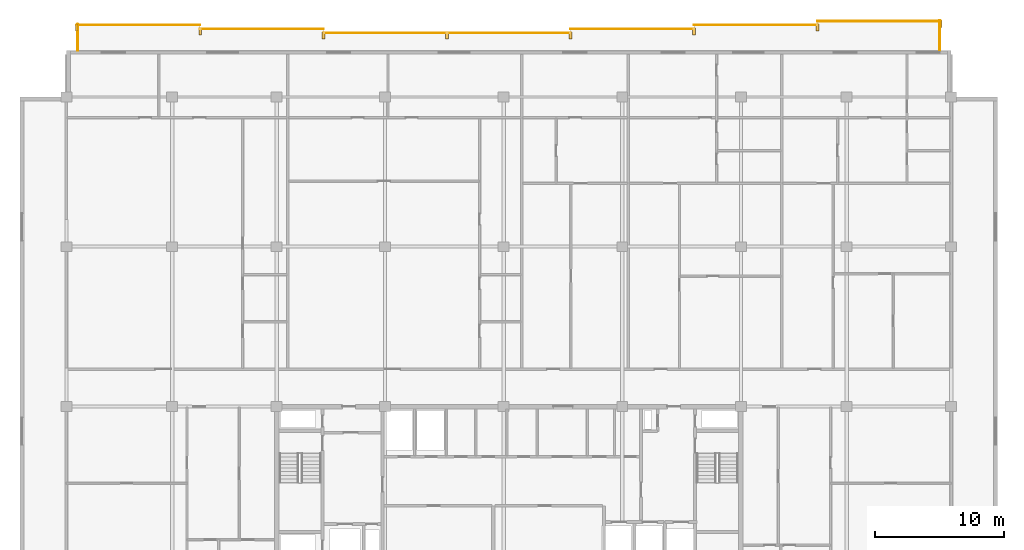
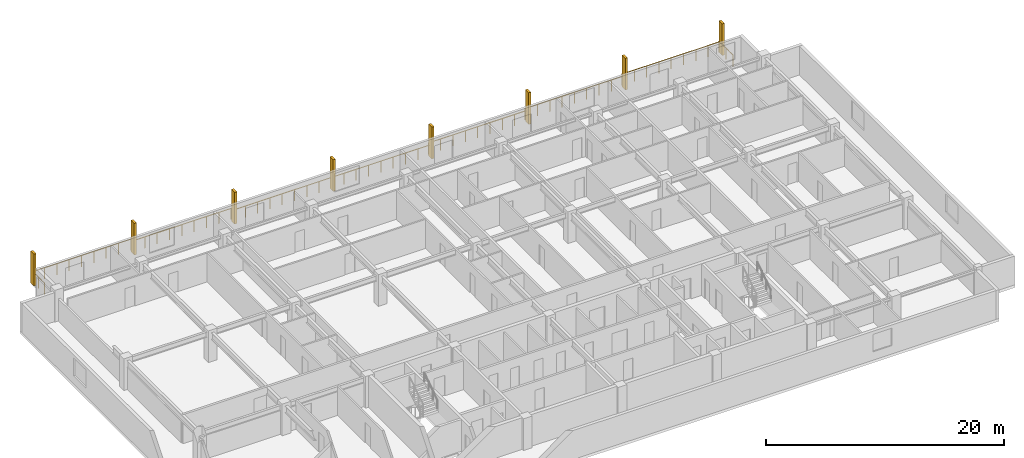
# One storey, part 22 of 22: 8 railings, 8 shading devices.
"""IFC4 building model written with IfcOpenShell, lengths in metres."""

from ifc_helpers import new_model, si_unit, direction, frame, origin, origin_2d, place, context, subcontext, project, spatial, rectangle, circle, extrude, material, type_object, element, save


model = new_model("IFC4")

# Units and contexts
model_context = context("Model", 3, precision=1e-05, world=origin(), true_north=direction((0.0, 1.0)))
body_context = subcontext(model_context, "Body", "Model", "MODEL_VIEW")
ifc_project = project(units=[si_unit("LENGTHUNIT", "METRE"), si_unit("AREAUNIT", "SQUARE_METRE"), si_unit("VOLUMEUNIT", "CUBIC_METRE"), si_unit("PLANEANGLEUNIT", "RADIAN"), si_unit("MASSUNIT", "GRAM", prefix="KILO")], contexts=[model_context])

# Site, building, storey
site_placement = place(None, origin())
site = spatial("IfcSite", under=ifc_project, at=site_placement, CompositionType="ELEMENT")
building_placement = place(site_placement, origin())
building = spatial("IfcBuilding", under=site, at=building_placement, Name="Korimba Cascade Residences", CompositionType="ELEMENT")
storey_placement = place(building_placement, frame((0.0, 0.0, 181.60009765625)))
storey = spatial("IfcBuildingStorey", under=building, at=storey_placement, Name="L52", CompositionType="ELEMENT", Elevation=181.60009765625)

# Railings
ifc_material_1 = material(Name="Laminated Glass and Bronze Balustrade", Category="glass")
railing_type = type_object("IfcRailingType", Name="RLG-LOG-1150", PredefinedType="BALUSTRADE", material=ifc_material_1)
railing_1_placement = place(storey_placement, frame((127.52001953125, 94.800048828125, 0.0)))
element("IfcRailing", 1, at=railing_1_placement, inside=storey, type_object=railing_type, Name="L52 Perimeter Guardrail RLG-L52-T1-LOG-01", PredefinedType="BALUSTRADE", context=body_context, shape_type="SweptSolid", body=[
    extrude(circle(Radius=0.02392578125, at=origin_2d()), frame((0.0, 0.0, 1.1259765625), z_axis=(0.0, 1.0, 0.0), x_axis=(-1.0, 0.0, 0.0)), (0.0, 0.0, 1.0), 2.349853515625),
    extrude(circle(Radius=0.02099609375, at=origin_2d()), origin(), (0.0, 0.0, 1.0), 1.101806640625),
    extrude(circle(Radius=0.02099609375, at=origin_2d()), frame((0.0, 1.1748046875, 0.0)), (0.0, 0.0, 1.0), 1.101806640625),
    extrude(circle(Radius=0.02099609375, at=origin_2d()), frame((0.0, 2.349853515625, 0.0)), (0.0, 0.0, 1.0), 1.101806640625),
])
for number, where, name in (
    (2, (127.60009765625, 97.070068359375, 0.0), "L52 Perimeter Guardrail RLG-L52-T1-LOG-02"),
    (3, (118.028564453125, 96.77001953125, 0.0), "L52 Perimeter Guardrail RLG-L52-T1-LOG-03"),
):
    element("IfcRailing", number, at=place(storey_placement, frame(where)), inside=storey, type_object=railing_type, Name=name, PredefinedType="BALUSTRADE", context=body_context, shape_type="SweptSolid", body=[
        extrude(circle(Radius=0.02392578125, at=origin_2d()), frame((0.0, 0.0, 1.1259765625), z_axis=(-1.0, 0.0, 0.0), x_axis=(0.0, -1.0, 0.0)), (0.0, 0.0, 1.0), 9.571533203125),
        extrude(circle(Radius=0.02099609375, at=origin_2d()), origin(), (0.0, 0.0, 1.0), 1.101806640625),
        extrude(circle(Radius=0.02099609375, at=origin_2d()), frame((-1.196533203125, 0.0, 0.0)), (0.0, 0.0, 1.0), 1.101806640625),
        extrude(circle(Radius=0.02099609375, at=origin_2d()), frame((-2.392822265625, 0.0, 0.0)), (0.0, 0.0, 1.0), 1.101806640625),
        extrude(circle(Radius=0.02099609375, at=origin_2d()), frame((-3.58935546875, 0.0, 0.0)), (0.0, 0.0, 1.0), 1.101806640625),
        extrude(circle(Radius=0.02099609375, at=origin_2d()), frame((-4.78564453125, 0.0, 0.0)), (0.0, 0.0, 1.0), 1.101806640625),
        extrude(circle(Radius=0.02099609375, at=origin_2d()), frame((-5.982177734375, 0.0, 0.0)), (0.0, 0.0, 1.0), 1.101806640625),
        extrude(circle(Radius=0.02099609375, at=origin_2d()), frame((-7.1787109375, 0.0, 0.0)), (0.0, 0.0, 1.0), 1.101806640625),
        extrude(circle(Radius=0.02099609375, at=origin_2d()), frame((-8.375, 0.0, 0.0)), (0.0, 0.0, 1.0), 1.101806640625),
        extrude(circle(Radius=0.02099609375, at=origin_2d()), frame((-9.571533203125, 0.0, 0.0)), (0.0, 0.0, 1.0), 1.101806640625),
    ])
railing_2_placement = place(storey_placement, frame((108.45703125, 96.469970703125, 0.0)))
element("IfcRailing", 4, at=railing_2_placement, inside=storey, type_object=railing_type, Name="L52 Perimeter Guardrail RLG-L52-T1-LOG-04", PredefinedType="BALUSTRADE", context=body_context, shape_type="SweptSolid", body=[
    extrude(circle(Radius=0.02392578125, at=origin_2d()), frame((0.0, 0.0, 1.1259765625), z_axis=(-1.0, 0.0, 0.0), x_axis=(0.0, -1.0, 0.0)), (0.0, 0.0, 1.0), 9.5712890625),
    extrude(circle(Radius=0.02099609375, at=origin_2d()), origin(), (0.0, 0.0, 1.0), 1.101806640625),
    extrude(circle(Radius=0.02099609375, at=origin_2d()), frame((-1.1962890625, 0.0, 0.0)), (0.0, 0.0, 1.0), 1.101806640625),
    extrude(circle(Radius=0.02099609375, at=origin_2d()), frame((-2.392822265625, 0.0, 0.0)), (0.0, 0.0, 1.0), 1.101806640625),
    extrude(circle(Radius=0.02099609375, at=origin_2d()), frame((-3.58935546875, 0.0, 0.0)), (0.0, 0.0, 1.0), 1.101806640625),
    extrude(circle(Radius=0.02099609375, at=origin_2d()), frame((-4.78564453125, 0.0, 0.0)), (0.0, 0.0, 1.0), 1.101806640625),
    extrude(circle(Radius=0.02099609375, at=origin_2d()), frame((-5.98193359375, 0.0, 0.0)), (0.0, 0.0, 1.0), 1.101806640625),
    extrude(circle(Radius=0.02099609375, at=origin_2d()), frame((-7.178466796875, 0.0, 0.0)), (0.0, 0.0, 1.0), 1.101806640625),
    extrude(circle(Radius=0.02099609375, at=origin_2d()), frame((-8.375, 0.0, 0.0)), (0.0, 0.0, 1.0), 1.101806640625),
    extrude(circle(Radius=0.02099609375, at=origin_2d()), frame((-9.5712890625, 0.0, 0.0)), (0.0, 0.0, 1.0), 1.101806640625),
])
railing_3_placement = place(storey_placement, frame((98.8857421875, 96.169921875, 0.0)))
element("IfcRailing", 5, at=railing_3_placement, inside=storey, type_object=railing_type, Name="L52 Perimeter Guardrail RLG-L52-T1-LOG-05", PredefinedType="BALUSTRADE", context=body_context, shape_type="SweptSolid", body=[
    extrude(circle(Radius=0.02392578125, at=origin_2d()), frame((0.0, 0.0, 1.1259765625), z_axis=(-1.0, 0.0, 0.0), x_axis=(0.0, -1.0, 0.0)), (0.0, 0.0, 1.0), 19.142822265625),
    extrude(circle(Radius=0.02099609375, at=origin_2d()), origin(), (0.0, 0.0, 1.0), 1.101806640625),
    extrude(circle(Radius=0.02099609375, at=origin_2d()), frame((-1.196533203125, 0.0, 0.0)), (0.0, 0.0, 1.0), 1.101806640625),
    extrude(circle(Radius=0.02099609375, at=origin_2d()), frame((-2.392822265625, 0.0, 0.0)), (0.0, 0.0, 1.0), 1.101806640625),
    extrude(circle(Radius=0.02099609375, at=origin_2d()), frame((-3.58935546875, 0.0, 0.0)), (0.0, 0.0, 1.0), 1.101806640625),
    extrude(circle(Radius=0.02099609375, at=origin_2d()), frame((-4.78564453125, 0.0, 0.0)), (0.0, 0.0, 1.0), 1.101806640625),
    extrude(circle(Radius=0.02099609375, at=origin_2d()), frame((-5.982177734375, 0.0, 0.0)), (0.0, 0.0, 1.0), 1.101806640625),
    extrude(circle(Radius=0.02099609375, at=origin_2d()), frame((-7.178466796875, 0.0, 0.0)), (0.0, 0.0, 1.0), 1.101806640625),
    extrude(circle(Radius=0.02099609375, at=origin_2d()), frame((-8.375, 0.0, 0.0)), (0.0, 0.0, 1.0), 1.101806640625),
    extrude(circle(Radius=0.02099609375, at=origin_2d()), frame((-9.5712890625, 0.0, 0.0)), (0.0, 0.0, 1.0), 1.101806640625),
    extrude(circle(Radius=0.02099609375, at=origin_2d()), frame((-10.767822265625, 0.0, 0.0)), (0.0, 0.0, 1.0), 1.101806640625),
    extrude(circle(Radius=0.02099609375, at=origin_2d()), frame((-11.96435546875, 0.0, 0.0)), (0.0, 0.0, 1.0), 1.101806640625),
    extrude(circle(Radius=0.02099609375, at=origin_2d()), frame((-13.16064453125, 0.0, 0.0)), (0.0, 0.0, 1.0), 1.101806640625),
    extrude(circle(Radius=0.02099609375, at=origin_2d()), frame((-14.357177734375, 0.0, 0.0)), (0.0, 0.0, 1.0), 1.101806640625),
    extrude(circle(Radius=0.02099609375, at=origin_2d()), frame((-15.553466796875, 0.0, 0.0)), (0.0, 0.0, 1.0), 1.101806640625),
    extrude(circle(Radius=0.02099609375, at=origin_2d()), frame((-16.75, 0.0, 0.0)), (0.0, 0.0, 1.0), 1.101806640625),
    extrude(circle(Radius=0.02099609375, at=origin_2d()), frame((-17.9462890625, 0.0, 0.0)), (0.0, 0.0, 1.0), 1.101806640625),
    extrude(circle(Radius=0.02099609375, at=origin_2d()), frame((-19.142822265625, 0.0, 0.0)), (0.0, 0.0, 1.0), 1.101806640625),
])
railing_4_placement = place(storey_placement, frame((79.742919921875, 96.469970703125, 0.0)))
element("IfcRailing", 6, at=railing_4_placement, inside=storey, type_object=railing_type, Name="L52 Perimeter Guardrail RLG-L52-T1-LOG-06", PredefinedType="BALUSTRADE", context=body_context, shape_type="SweptSolid", body=[
    extrude(circle(Radius=0.02392578125, at=origin_2d()), frame((0.0, 0.0, 1.1259765625), z_axis=(-1.0, 0.0, 0.0), x_axis=(0.0, -1.0, 0.0)), (0.0, 0.0, 1.0), 9.571533203125),
    extrude(circle(Radius=0.02099609375, at=origin_2d()), origin(), (0.0, 0.0, 1.0), 1.101806640625),
    extrude(circle(Radius=0.02099609375, at=origin_2d()), frame((-1.196533203125, 0.0, 0.0)), (0.0, 0.0, 1.0), 1.101806640625),
    extrude(circle(Radius=0.02099609375, at=origin_2d()), frame((-2.392822265625, 0.0, 0.0)), (0.0, 0.0, 1.0), 1.101806640625),
    extrude(circle(Radius=0.02099609375, at=origin_2d()), frame((-3.58935546875, 0.0, 0.0)), (0.0, 0.0, 1.0), 1.101806640625),
    extrude(circle(Radius=0.02099609375, at=origin_2d()), frame((-4.78564453125, 0.0, 0.0)), (0.0, 0.0, 1.0), 1.101806640625),
    extrude(circle(Radius=0.02099609375, at=origin_2d()), frame((-5.982177734375, 0.0, 0.0)), (0.0, 0.0, 1.0), 1.101806640625),
    extrude(circle(Radius=0.02099609375, at=origin_2d()), frame((-7.1787109375, 0.0, 0.0)), (0.0, 0.0, 1.0), 1.101806640625),
    extrude(circle(Radius=0.02099609375, at=origin_2d()), frame((-8.375, 0.0, 0.0)), (0.0, 0.0, 1.0), 1.101806640625),
    extrude(circle(Radius=0.02099609375, at=origin_2d()), frame((-9.571533203125, 0.0, 0.0)), (0.0, 0.0, 1.0), 1.101806640625),
])
railing_5_placement = place(storey_placement, frame((70.17138671875, 96.77001953125, 0.0)))
element("IfcRailing", 7, at=railing_5_placement, inside=storey, type_object=railing_type, Name="L52 Perimeter Guardrail RLG-L52-T1-LOG-07", PredefinedType="BALUSTRADE", context=body_context, shape_type="SweptSolid", body=[
    extrude(circle(Radius=0.02392578125, at=origin_2d()), frame((0.0, 0.0, 1.1259765625), z_axis=(-1.0, 0.0, 0.0), x_axis=(0.0, -1.0, 0.0)), (0.0, 0.0, 1.0), 9.5712890625),
    extrude(circle(Radius=0.02099609375, at=origin_2d()), origin(), (0.0, 0.0, 1.0), 1.101806640625),
    extrude(circle(Radius=0.02099609375, at=origin_2d()), frame((-1.1962890625, 0.0, 0.0)), (0.0, 0.0, 1.0), 1.101806640625),
    extrude(circle(Radius=0.02099609375, at=origin_2d()), frame((-2.392822265625, 0.0, 0.0)), (0.0, 0.0, 1.0), 1.101806640625),
    extrude(circle(Radius=0.02099609375, at=origin_2d()), frame((-3.58935546875, 0.0, 0.0)), (0.0, 0.0, 1.0), 1.101806640625),
    extrude(circle(Radius=0.02099609375, at=origin_2d()), frame((-4.78564453125, 0.0, 0.0)), (0.0, 0.0, 1.0), 1.101806640625),
    extrude(circle(Radius=0.02099609375, at=origin_2d()), frame((-5.98193359375, 0.0, 0.0)), (0.0, 0.0, 1.0), 1.101806640625),
    extrude(circle(Radius=0.02099609375, at=origin_2d()), frame((-7.178466796875, 0.0, 0.0)), (0.0, 0.0, 1.0), 1.101806640625),
    extrude(circle(Radius=0.02099609375, at=origin_2d()), frame((-8.375, 0.0, 0.0)), (0.0, 0.0, 1.0), 1.101806640625),
    extrude(circle(Radius=0.02099609375, at=origin_2d()), frame((-9.5712890625, 0.0, 0.0)), (0.0, 0.0, 1.0), 1.101806640625),
])
railing_6_placement = place(storey_placement, frame((60.679931640625, 96.85009765625, 0.0)))
element("IfcRailing", 8, at=railing_6_placement, inside=storey, type_object=railing_type, Name="L52 Perimeter Guardrail RLG-L52-T1-LOG-08", PredefinedType="BALUSTRADE", context=body_context, shape_type="SweptSolid", body=[
    extrude(circle(Radius=0.02392578125, at=origin_2d()), frame((0.0, 0.0, 1.1259765625), z_axis=(0.0, -1.0, 0.0), x_axis=(1.0, 0.0, 0.0)), (0.0, 0.0, 1.0), 2.050048828125),
    extrude(circle(Radius=0.02099609375, at=origin_2d()), origin(), (0.0, 0.0, 1.0), 1.101806640625),
    extrude(circle(Radius=0.02099609375, at=origin_2d()), frame((0.0, -1.02490234375, 0.0)), (0.0, 0.0, 1.0), 1.101806640625),
    extrude(circle(Radius=0.02099609375, at=origin_2d()), frame((0.0, -2.050048828125, 0.0)), (0.0, 0.0, 1.0), 1.101806640625),
])

# Shading devices
ifc_material_2 = material(Name="Honed Sandstone Precast Fin", Category="masonry")
shading_device_type = type_object("IfcShadingDeviceType", Name="SHD-FIN-550", PredefinedType="USERDEFINED", material=ifc_material_2)
for number, where, z_axis, x_axis, name in (
    (9, (60.60009765625, 96.574951171875, 0.0), (0.0, 0.0, 1.0), (1.0, 0.0, 0.0), "L52 T1 Warm-Stone Loggia Fin 1"),
    (10, (70.17138671875, 96.27490234375, 0.0), (0.0, 0.0, 1.0), (1.0, 0.0, 0.0), "L52 T1 Warm-Stone Loggia Fin 2"),
    (11, (79.742919921875, 95.97509765625, 0.0), (0.0, 0.0, 1.0), (1.0, 0.0, 0.0), "L52 T1 Warm-Stone Loggia Fin 3"),
    (12, (89.314208984375, 95.97509765625, 0.0), (0.0, 0.0, 1.0), (1.0, 0.0, 0.0), "L52 T1 Warm-Stone Loggia Fin 4"),
    (13, (98.8857421875, 95.97509765625, 0.0), (0.0, 0.0, 1.0), (1.0, 0.0, 0.0), "L52 T1 Warm-Stone Loggia Fin 5"),
    (14, (108.45703125, 96.27490234375, 0.0), (0.0, 0.0, 1.0), (1.0, 0.0, 0.0), "L52 T1 Warm-Stone Loggia Fin 6"),
    (15, (118.028564453125, 96.574951171875, 0.0), (0.0, 0.0, 1.0), (1.0, 0.0, 0.0), "L52 T1 Warm-Stone Loggia Fin 7"),
    (16, (127.60009765625, 96.875, 0.0), (0.0, 0.0, 1.0), (1.0, 0.0, 0.0), "L52 T1 Warm-Stone Loggia Fin 8"),
):
    element("IfcShadingDevice", number, at=place(storey_placement, frame(where, z_axis=z_axis, x_axis=x_axis)), inside=storey, type_object=shading_device_type, Name=name, ObjectType="FIN", PredefinedType="USERDEFINED", context=body_context, shape_type="SweptSolid", body=[
        extrude(rectangle(XDim=0.219970703125, YDim=0.550048828125, at=origin_2d()), origin(), (0.0, 0.0, 1.0), 3.25),
    ])

save(model, "model.ifc")
